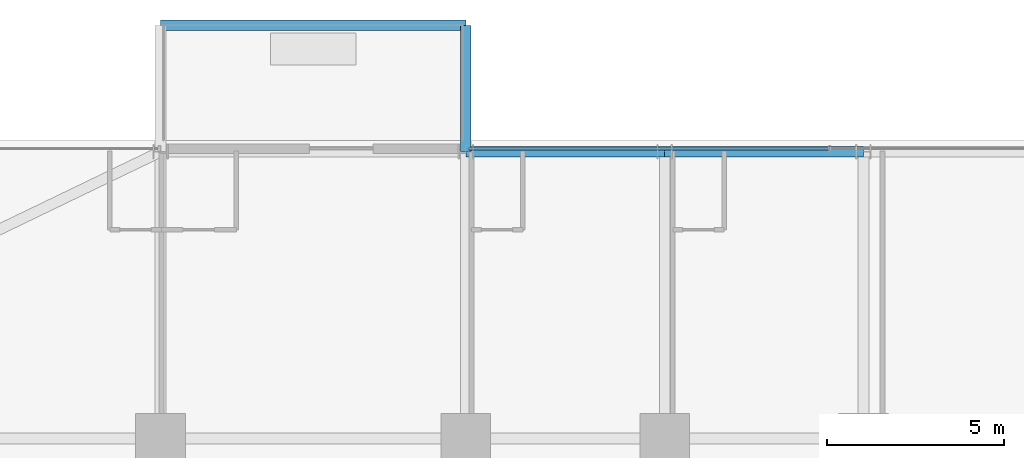
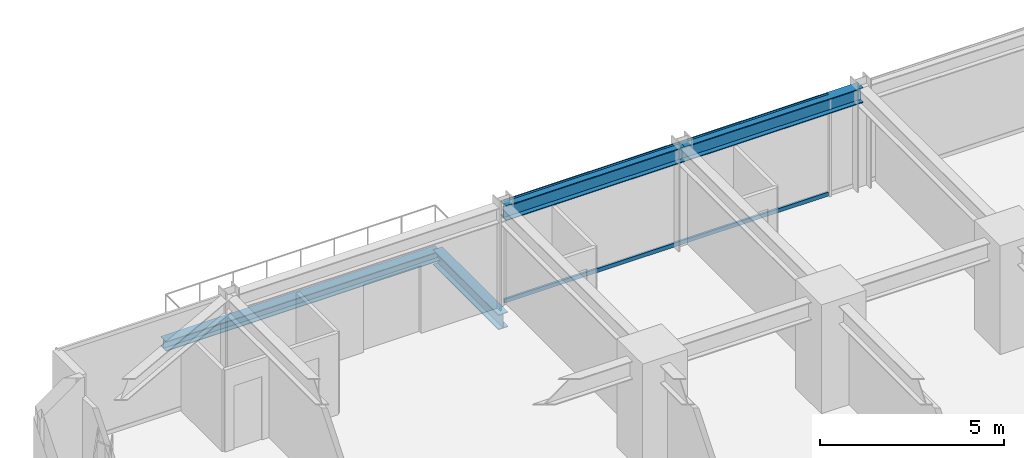
# One storey, part 23 of 39: 4 beams, 2 members, 1 element without a shape of its own.
"""IFC4 building model written with IfcOpenShell, lengths in metres."""

from ifc_helpers import new_model, si_unit, direction, frame, origin, origin_2d, place, context, subcontext, project, spatial, hollow_rectangle, i_section, extrude, source, transform, mapped, material, material_profile, profile_set, type_object, element, aggregate, save


model = new_model("IFC4")

# Units and contexts
model_context = context("Model", 3, precision=1e-05, world=origin(), true_north=direction((0.0, 1.0)))
body_context = subcontext(model_context, "Body", "Model", "MODEL_VIEW")
ifc_project = project(units=[si_unit("LENGTHUNIT", "METRE"), si_unit("AREAUNIT", "SQUARE_METRE"), si_unit("VOLUMEUNIT", "CUBIC_METRE"), si_unit("PLANEANGLEUNIT", "RADIAN"), si_unit("MASSUNIT", "GRAM", prefix="KILO")], contexts=[model_context])

# Site, building, storey
site_placement = place(None, origin())
site = spatial("IfcSite", under=ifc_project, at=site_placement, CompositionType="ELEMENT")
building_placement = place(site_placement, origin())
building = spatial("IfcBuilding", under=site, at=building_placement, Name="Nahalor Promenade Grand Hotel", CompositionType="ELEMENT")
storey_placement = place(building_placement, frame((0.0, 0.0, 32.39990234375)))
storey = spatial("IfcBuildingStorey", under=building, at=storey_placement, Name="L06", CompositionType="ELEMENT", Elevation=32.39990234375)

# Beams
ifc_material_1 = material(Name="Steel S355JR", Category="steel")
ifc_material_profile_1 = material_profile(ifc_material_1, i_section(OverallWidth=0.3, OverallDepth=0.5, WebThickness=0.0145, FlangeThickness=0.028, at=origin_2d()), Name="HEB 500")
ifc_profile_set_1 = profile_set([ifc_material_profile_1], Name="Steel S355JR")
beam_type_1 = type_object("IfcBeamType", Name="Beam-Outrigger-HEB500", PredefinedType="BEAM", material=ifc_profile_set_1)
shared_shape_1 = source(origin(), body_context, "Body", "SweptSolid", [
    extrude(i_section(OverallWidth=0.3, OverallDepth=0.5, WebThickness=0.0145, FlangeThickness=0.028, at=origin_2d()), origin(), (0.0, 0.0, 1.0), 3.559814453125),
])
beam_1_placement = place(storey_placement, frame((-8.39990234375, 25.080078125, -0.52978515625), z_axis=(0.0, 1.0, 0.0), x_axis=(-1.0, 0.0, 0.0)))
element("IfcBeam", 1, at=beam_1_placement, inside=storey, type_object=beam_type_1, Name="BM-L06-BC-01-2", PredefinedType="BEAM", context=body_context, shape_type="MappedRepresentation", body=[
    mapped(shared_shape_1, transform((0.0, 0.0, 0.0), scale=1.0)),
])
ifc_material_profile_2 = material_profile(ifc_material_1, i_section(OverallWidth=0.3, OverallDepth=0.32, WebThickness=0.0115, FlangeThickness=0.0205, at=origin_2d()), Name="HEB 320")
ifc_profile_set_2 = profile_set([ifc_material_profile_2], Name="Steel S355JR")
beam_type_2 = type_object("IfcBeamType", Name="Beam-BalcEdge-HEB320", PredefinedType="SPANDREL", material=ifc_profile_set_2)
shared_shape_2 = source(origin(), body_context, "Body", "SweptSolid", [
    extrude(i_section(OverallWidth=0.3, OverallDepth=0.32, WebThickness=0.0115, FlangeThickness=0.0205, at=origin_2d()), origin(), (0.0, 0.0, 1.0), 8.60009765625),
])
beam_2_placement = place(storey_placement, frame((-17.0, 28.639892578125, -0.43994140625), z_axis=(1.0, 0.0, 0.0), x_axis=(0.0, 1.0, 0.0)))
element("IfcBeam", 2, at=beam_2_placement, inside=storey, type_object=beam_type_2, Name="BM-L06-BC-01-F", PredefinedType="SPANDREL", context=body_context, shape_type="MappedRepresentation", body=[
    mapped(shared_shape_2, transform((0.0, 0.0, 0.0), scale=1.0)),
])
ifc_material_profile_3 = material_profile(ifc_material_1, i_section(OverallWidth=0.3, OverallDepth=0.5, WebThickness=0.0145, FlangeThickness=0.028, at=origin_2d()), Name="HEB 500")
ifc_profile_set_3 = profile_set([ifc_material_profile_3], Name="Steel S355JR")
beam_type_3 = type_object("IfcBeamType", Name="Beam-Spandrel-HEB500", PredefinedType="SPANDREL", material=ifc_profile_set_3)
shared_shape_3 = source(origin(), body_context, "Body", "SweptSolid", [
    extrude(i_section(OverallWidth=0.3, OverallDepth=0.5, WebThickness=0.0145, FlangeThickness=0.028, at=origin_2d()), origin(), (0.0, 0.0, 1.0), 5.599853515625),
])
beam_3_placement = place(storey_placement, frame((-8.39990234375, 25.080078125, 3.1201171875), z_axis=(1.0, 0.0, 0.0), x_axis=(0.0, 1.0, 0.0)))
element("IfcBeam", 3, at=beam_3_placement, inside=storey, type_object=beam_type_3, Name="BM-L06-SP-N-1", PredefinedType="SPANDREL", context=body_context, shape_type="MappedRepresentation", body=[
    mapped(shared_shape_3, transform((0.0, 0.0, 0.0), scale=1.0)),
])
shared_shape_4 = source(origin(), body_context, "Body", "SweptSolid", [
    extrude(i_section(OverallWidth=0.3, OverallDepth=0.5, WebThickness=0.0145, FlangeThickness=0.028, at=origin_2d()), origin(), (0.0, 0.0, 1.0), 5.60009765625),
])
beam_4_placement = place(storey_placement, frame((-2.800048828125, 25.080078125, 3.1201171875), z_axis=(1.0, 0.0, 0.0), x_axis=(0.0, 1.0, 0.0)))
element("IfcBeam", 4, at=beam_4_placement, inside=storey, type_object=beam_type_3, Name="BM-L06-SP-N-2", PredefinedType="SPANDREL", context=body_context, shape_type="MappedRepresentation", body=[
    mapped(shared_shape_4, transform((0.0, 0.0, 0.0), scale=1.0)),
])

# Curtain wall, members
ifc_material_2 = material(Name="Anodised Bronze Aluminium EN AW-6063 T6", Category="aluminium")
curtain_wall_type = type_object("IfcCurtainWallType", Name="CW2 Typical Hotel Flush Bronze Unitised Curtain Wall", PredefinedType="USERDEFINED", material=ifc_material_2)
curtain_wall_placement = place(storey_placement, origin())
curtain_wall = element("IfcCurtainWall", 5, at=curtain_wall_placement, inside=storey, type_object=curtain_wall_type, Name="L06 Curtain Wall CW-L06-N-3", ObjectType="UNITISED_CURTAIN_WALL", PredefinedType="USERDEFINED")
ifc_material_profile_4 = material_profile(ifc_material_2, hollow_rectangle(XDim=0.065, YDim=0.13, WallThickness=0.004, at=origin_2d()), Name="CWT 65x130x4")
ifc_profile_set_4 = profile_set([ifc_material_profile_4], Name="Anodised Bronze Aluminium EN AW-6063 T6")
member_type = type_object("IfcMemberType", Name="CWT2 Typical Bronze Transom 65x130", PredefinedType="USERDEFINED", material=ifc_profile_set_4)
shared_shape_5 = source(origin(), body_context, "Body", "SweptSolid", [
    extrude(hollow_rectangle(XDim=0.065, YDim=0.13, WallThickness=0.004, at=origin_2d()), origin(), (0.0, 0.0, 1.0), 10.15576171875),
])
member_1_placement = place(storey_placement, frame((-8.3349609375, 25.159912109375, 0.065185546875), z_axis=(1.0, 0.0, 0.0), x_axis=(0.0, 1.0, 0.0)))
member_1 = element("IfcMember", 6, at=member_1_placement, type_object=member_type, Name="CW-L06-N-3 Transom 0-0", ObjectType="TRANSOM", PredefinedType="USERDEFINED", context=body_context, shape_type="MappedRepresentation", body=[
    mapped(shared_shape_5, transform((0.0, 0.0, 0.0), scale=1.0)),
])
member_2_placement = place(storey_placement, frame((-8.3349609375, 25.159912109375, 3.30517578125), z_axis=(1.0, 0.0, 0.0), x_axis=(0.0, 1.0, 0.0)))
member_2 = element("IfcMember", 7, at=member_2_placement, type_object=member_type, Name="CW-L06-N-3 Transom 0-1", ObjectType="TRANSOM", PredefinedType="USERDEFINED", context=body_context, shape_type="MappedRepresentation", body=[
    mapped(shared_shape_5, transform((0.0, 0.0, 0.0), scale=1.0)),
])
aggregate(curtain_wall, [member_1, member_2])

save(model, "model.ifc")
